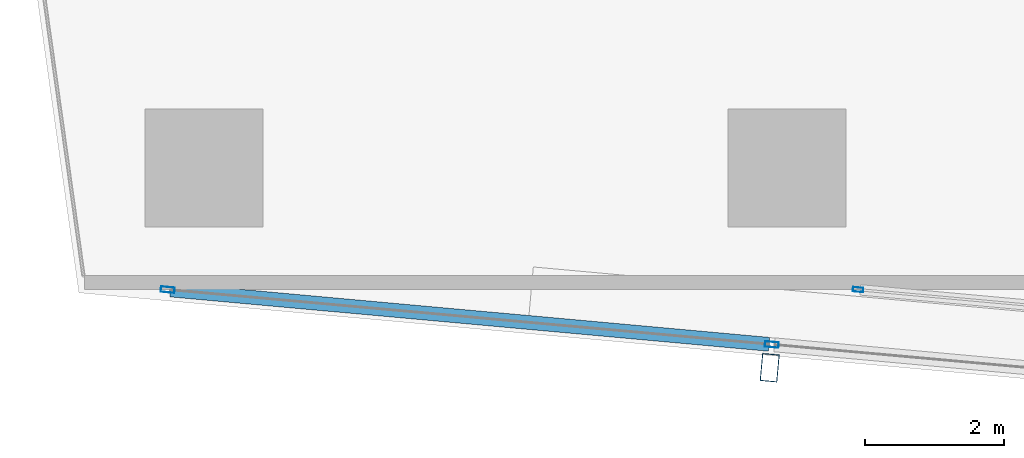
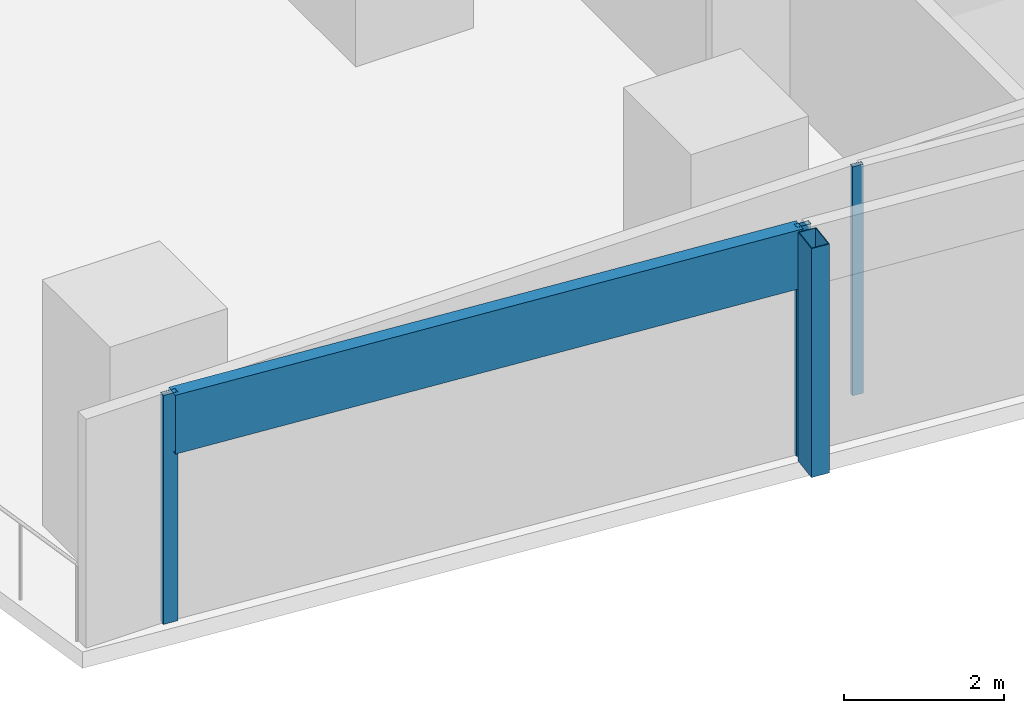
# One storey, part 2 of 38: 5 members, 2 elements without a shape of their own.
"""IFC4 building model written with IfcOpenShell, lengths in metres."""

import ifcopenshell
import ifcopenshell.guid

model = None  # the IFC model being written
_history = None  # IfcOwnerHistory: only IFC2X3 demands one
_inside = {}  # id of a spatial element -> (the spatial element, [elements in it])
_under = {}  # id of a project, library or spatial element -> (it, [spatial elements below it])
_declared = {}  # id of a project -> (the project, [libraries it declares])
_typed = {}  # id of a type object -> (the type object, [elements of that type])
_made_of = {}  # id of a material, layer set ... -> (it, [elements and type objects made of it])


def new_model(schema):
    """Start an empty IFC model of exactly this schema.

    Asked for "IFC4X3", IfcOpenShell would pick the latest addendum, in which some entities
    have other attributes; the version numbers below select the first issue.
    IFC2X3 requires an IfcOwnerHistory on every rooted entity: one is made here for all.
    """
    global model, _history
    if schema == "IFC4X3":
        model = ifcopenshell.file(schema_version=(4, 3, 0, 0))
    else:
        model = ifcopenshell.file(schema=schema)
    _inside.clear()
    _under.clear()
    _declared.clear()
    _typed.clear()
    _made_of.clear()
    _history = None
    if model.schema == "IFC2X3":
        org = make("IfcOrganization", Name="unknown")
        user = make(
            "IfcPersonAndOrganization",
            ThePerson=make("IfcPerson", FamilyName="unknown"),
            TheOrganization=org,
        )
        app = make(
            "IfcApplication",
            ApplicationDeveloper=org,
            Version="unknown",
            ApplicationFullName="unknown",
            ApplicationIdentifier="unknown",
        )
        _history = make(
            "IfcOwnerHistory",
            OwningUser=user,
            OwningApplication=app,
            ChangeAction="ADDED",
            CreationDate=0,
        )
    return model


def make(cls, **values):
    """One entity of the class cls with the attributes given. An attribute that is None is left unset."""
    return model.create_entity(
        cls, **{name: value for name, value in values.items() if value is not None}
    )


def rooted(cls, **values):
    """An entity with a GlobalId (a new one), such as an element, a storey or a relation."""
    return make(cls, GlobalId=ifcopenshell.guid.new(), OwnerHistory=_history, **values)


def si_unit(unit_type, name, prefix=None):
    """IfcSIUnit, for example si_unit("LENGTHUNIT", "METRE", prefix="MILLI")."""
    return make("IfcSIUnit", UnitType=unit_type, Prefix=prefix, Name=name)


def assignment(units):
    """IfcUnitAssignment: the units of a project."""
    return None if units is None else make("IfcUnitAssignment", Units=units)


def point(xyz):
    """IfcCartesianPoint."""
    return None if xyz is None else make("IfcCartesianPoint", Coordinates=xyz)


def direction(xyz):
    """IfcDirection."""
    return None if xyz is None else make("IfcDirection", DirectionRatios=xyz)


def frame(location, z_axis=None, x_axis=None):
    """IfcAxis2Placement3D, a coordinate frame: its origin and axes. An axis left out is left unset."""
    return make(
        "IfcAxis2Placement3D",
        Location=point(location),
        Axis=direction(z_axis),
        RefDirection=direction(x_axis),
    )


def frame_2d(location, x_axis=None):
    """IfcAxis2Placement2D, a coordinate frame in the plane: its origin and x axis."""
    return make(
        "IfcAxis2Placement2D", Location=point(location), RefDirection=direction(x_axis)
    )


def origin():
    """The frame at (0, 0, 0) with its axes left unset."""
    return frame((0.0, 0.0, 0.0))


def origin_2d():
    """The frame at (0, 0) in the plane with its x axis left unset."""
    return frame_2d((0.0, 0.0))


def place(relative_to, where):
    """IfcLocalPlacement: puts the frame where relative to a parent placement (None: the world)."""
    return make(
        "IfcLocalPlacement", PlacementRelTo=relative_to, RelativePlacement=where
    )


def context(
    kind, dimensions, precision=None, world=None, true_north=None, identifier=None
):
    """IfcGeometricRepresentationContext, for example the 3D "Model" context."""
    return make(
        "IfcGeometricRepresentationContext",
        ContextIdentifier=identifier,
        ContextType=kind,
        CoordinateSpaceDimension=dimensions,
        Precision=precision,
        WorldCoordinateSystem=world,
        TrueNorth=true_north,
    )


def subcontext(parent, identifier, kind, view, scale=None):
    """IfcGeometricRepresentationSubContext, for example "Body" below "Model"."""
    return make(
        "IfcGeometricRepresentationSubContext",
        ContextIdentifier=identifier,
        ContextType=kind,
        ParentContext=parent,
        TargetScale=scale,
        TargetView=view,
    )


def project(units=None, contexts=None):
    """IfcProject with its units and contexts."""
    return rooted(
        "IfcProject",
        Name="project",
        RepresentationContexts=contexts,
        UnitsInContext=assignment(units),
    )


def spatial(cls, under=None, at=None, **own):
    """A site, building, storey or space (cls), placed at a placement, below another one or the project."""
    s = rooted(cls, ObjectPlacement=at, **own)
    if under is not None:
        _under.setdefault(under.id(), (under, []))[1].append(s)
    return s


def profile(cls, at=None, kind="AREA", **sizes):
    """A parametric profile (cls). Its sizes go by their IFC names, for example OverallWidth=200.0."""
    return make(cls, ProfileType=kind, Position=at, **sizes)


def hollow_rectangle(**sizes):
    """IfcRectangleHollowProfileDef."""
    return profile("IfcRectangleHollowProfileDef", **sizes)


def extrude(swept, where, along, depth):
    """IfcExtrudedAreaSolid: the profile swept, set in the frame where, extruded along a direction by depth."""
    return make(
        "IfcExtrudedAreaSolid",
        SweptArea=swept,
        Position=where,
        ExtrudedDirection=direction(along),
        Depth=depth,
    )


def shape(context_of_items, identifier, shape_type, items):
    """IfcShapeRepresentation: the items that make up one representation, for example the "Body"."""
    return make(
        "IfcShapeRepresentation",
        ContextOfItems=context_of_items,
        RepresentationIdentifier=identifier,
        RepresentationType=shape_type,
        Items=items,
    )


def material(Name=None, Category=None):
    """IfcMaterial."""
    return make("IfcMaterial", Name=Name, Category=Category)


def material_profile(
    of_material, cross_section, Name=None, Category=None, Priority=None
):
    """IfcMaterialProfile: a cross section and its material."""
    return make(
        "IfcMaterialProfile",
        Name=Name,
        Material=of_material,
        Profile=cross_section,
        Priority=Priority,
        Category=Category,
    )


def profile_set(profiles, Name=None, composite=None):
    """IfcMaterialProfileSet."""
    return make(
        "IfcMaterialProfileSet",
        Name=Name,
        MaterialProfiles=profiles,
        CompositeProfile=composite,
    )


def made_of(thing, what):
    """Note that an element or type object is made of a material, layer set ...; save() writes the relation."""
    if what is not None:
        _made_of.setdefault(what.id(), (what, []))[1].append(thing)
    return thing


def type_object(cls, material=None, **own):
    """A type object (cls), such as IfcWallType, which elements share."""
    return made_of(rooted(cls, **own), material)


def element(
    cls,
    number,
    at=None,
    inside=None,
    cuts=None,
    type_object=None,
    material=None,
    context=None,
    identifier="Body",
    shape_type=None,
    held_by="IfcProductDefinitionShape",
    body=None,
    shapes=None,
    **own,
):
    """One element of the class cls, such as IfcWall. Its Tag is "e" and its number.

    at: its placement. inside: the storey or other place that contains it. cuts: it is an
    opening in that element (IfcRelVoidsElement). A single representation is given by context,
    identifier, shape_type and body (its items); several are given by shapes. held_by: the class
    of the entity that holds the representations. save() writes the other relations.
    """
    e = rooted(cls, Tag="e%d" % number, ObjectPlacement=at, **own)
    if body is not None:
        shapes = [shape(context, identifier, shape_type, body)]
    if shapes is not None:
        e.Representation = make(held_by, Representations=shapes)
    if inside is not None:
        _inside.setdefault(inside.id(), (inside, []))[1].append(e)
    if cuts is not None:
        rooted(
            "IfcRelVoidsElement", RelatingBuildingElement=cuts, RelatedOpeningElement=e
        )
    if type_object is not None:
        _typed.setdefault(type_object.id(), (type_object, []))[1].append(e)
    return made_of(e, material)


def aggregate(whole, parts):
    """IfcRelAggregates: a whole, such as a stair, and the parts it consists of."""
    return rooted("IfcRelAggregates", RelatingObject=whole, RelatedObjects=parts)


def save(model, path):
    """Write the relations noted so far, then the file.

    IfcRelAggregates (storeys below a building ...), IfcRelContainedInSpatialStructure (elements
    in a storey), IfcRelDefinesByType, IfcRelAssociatesMaterial and IfcRelDeclares: one each for
    every whole, place, type object, material and project.
    """
    for whole, parts in _under.values():
        aggregate(whole, parts)
    for where, things in _inside.values():
        rooted(
            "IfcRelContainedInSpatialStructure",
            RelatedElements=things,
            RelatingStructure=where,
        )
    for kind, things in _typed.values():
        rooted("IfcRelDefinesByType", RelatedObjects=things, RelatingType=kind)
    for what, things in _made_of.values():
        rooted("IfcRelAssociatesMaterial", RelatedObjects=things, RelatingMaterial=what)
    for by, libraries in _declared.values():
        rooted("IfcRelDeclares", RelatingContext=by, RelatedDefinitions=libraries)
    model.write(path)


model = new_model("IFC4")

# Units and contexts
model_context = context("Model", 3, precision=1e-05, world=origin(), true_north=direction((0.0, 1.0)))
body_context = subcontext(model_context, "Body", "Model", "MODEL_VIEW")
ifc_project = project(units=[si_unit("LENGTHUNIT", "METRE"), si_unit("AREAUNIT", "SQUARE_METRE"), si_unit("VOLUMEUNIT", "CUBIC_METRE"), si_unit("PLANEANGLEUNIT", "RADIAN"), si_unit("MASSUNIT", "GRAM", prefix="KILO")], contexts=[model_context])

# Site, building, storey
site_placement = place(None, origin())
site = spatial("IfcSite", under=ifc_project, at=site_placement, CompositionType="ELEMENT")
building_placement = place(site_placement, origin())
building = spatial("IfcBuilding", under=site, at=building_placement, Name="Rekha Terrace Tower", CompositionType="ELEMENT")
storey_placement = place(building_placement, frame((0.0, 0.0, 114.050048828125)))
storey = spatial("IfcBuildingStorey", under=building, at=storey_placement, Name="L28", CompositionType="ELEMENT", Elevation=114.050048828125)

# Curtain wall, member
ifc_material_1 = material(Name="Aluminium framing", Category="aluminium")
curtain_wall_type_1 = type_object("IfcCurtainWallType", Name="CW2 double skin outer glazing", PredefinedType="USERDEFINED", material=ifc_material_1)
curtain_wall_1_placement = place(storey_placement, origin())
curtain_wall_1 = element("IfcCurtainWall", 1, at=curtain_wall_1_placement, inside=storey, type_object=curtain_wall_type_1, Name="CW2 double skin outer glazing", ObjectType="DOUBLE SKIN OUTER GLAZING", PredefinedType="USERDEFINED")
ifc_material_2 = material(Name="Steel S355 with fluorocarbon finish", Category="steel")
ifc_material_profile_1 = material_profile(ifc_material_2, hollow_rectangle(XDim=0.25, YDim=0.39990234375, WallThickness=0.012451171875, at=origin_2d()), Name="RHS400x250x12.5")
ifc_profile_set_1 = profile_set([ifc_material_profile_1], Name="Steel S355 with fluorocarbon finish")
member_type_1 = type_object("IfcMemberType", Name="BL1 facade blade RHS 400 x 250", PredefinedType="USERDEFINED", material=ifc_profile_set_1)
member_1_placement = place(storey_placement, frame((16.552001953125, 13.92041015625, 0.0), z_axis=(0.0, 0.0, 1.0), x_axis=(0.995901938317, -0.090439644273, 0.0)))
member_1 = element("IfcMember", 2, at=member_1_placement, type_object=member_type_1, Name="Facade blade", ObjectType="FACADE BLADE", PredefinedType="USERDEFINED", context=body_context, shape_type="SweptSolid", body=[
    extrude(hollow_rectangle(XDim=0.25, YDim=0.39990234375, WallThickness=0.012451171875, at=origin_2d()), origin(), (0.0, 0.0, 1.0), 3.5),
])

curtain_wall_type_2 = type_object("IfcCurtainWallType", Name="CW1 double skin inner glazing", PredefinedType="USERDEFINED", material=ifc_material_1)
curtain_wall_2_placement = place(storey_placement, origin())
curtain_wall_2 = element("IfcCurtainWall", 3, at=curtain_wall_2_placement, inside=storey, type_object=curtain_wall_type_2, Name="CW1 double skin inner glazing", ObjectType="DOUBLE SKIN INNER GLAZING", PredefinedType="USERDEFINED")
ifc_material_3 = material(Name="Aluminium mullion section", Category="aluminium")
ifc_material_profile_2 = material_profile(ifc_material_3, hollow_rectangle(XDim=0.06494140625, YDim=0.14990234375, WallThickness=0.00390625, at=origin_2d()), Name="AL RHS 65x150")
ifc_profile_set_2 = profile_set([ifc_material_profile_2], Name="Aluminium mullion section")
member_type_2 = type_object("IfcMemberType", Name="CW1 mullion RHS 65 x 150", PredefinedType="MULLION", material=ifc_profile_set_2)
member_2_placement = place(storey_placement, frame((17.82421875, 15.045166015625, 0.0), z_axis=(0.0, 0.0, 1.0), x_axis=(0.090439811364, 0.995901923143, 0.0)))
member_2 = element("IfcMember", 4, at=member_2_placement, type_object=member_type_2, Name="CW1 mullion 1", PredefinedType="MULLION", context=body_context, shape_type="SweptSolid", body=[
    extrude(hollow_rectangle(XDim=0.06494140625, YDim=0.14990234375, WallThickness=0.00390625, at=origin_2d()), origin(), (0.0, 0.0, 1.0), 3.5),
])
aggregate(curtain_wall_2, [member_2])

# Member
ifc_material_profile_3 = material_profile(ifc_material_3, hollow_rectangle(XDim=0.080078125, YDim=0.199951171875, WallThickness=0.00390625, at=origin_2d()), Name="AL RHS 80x200")
ifc_profile_set_3 = profile_set([ifc_material_profile_3], Name="Aluminium mullion section")
member_type_3 = type_object("IfcMemberType", Name="CW2 mullion RHS 80 x 200", PredefinedType="MULLION", material=ifc_profile_set_3)
member_3_placement = place(storey_placement, frame((7.88037109375, 15.04443359375, 0.0), z_axis=(0.0, 0.0, 1.0), x_axis=(0.090439811416, 0.995901923139, 0.0)))
member_3 = element("IfcMember", 5, at=member_3_placement, type_object=member_type_3, Name="CW2 mullion 1", PredefinedType="MULLION", context=body_context, shape_type="SweptSolid", body=[
    extrude(hollow_rectangle(XDim=0.080078125, YDim=0.199951171875, WallThickness=0.00390625, at=origin_2d()), origin(), (0.0, 0.0, 1.0), 3.5),
])

member_4_placement = place(storey_placement, frame((16.582275390625, 14.254150390625, 0.0), z_axis=(0.0, 0.0, 1.0), x_axis=(0.090439811416, 0.995901923139, 0.0)))
member_4 = element("IfcMember", 6, at=member_4_placement, type_object=member_type_3, Name="CW2 mullion 2", PredefinedType="MULLION", context=body_context, shape_type="SweptSolid", body=[
    extrude(hollow_rectangle(XDim=0.080078125, YDim=0.199951171875, WallThickness=0.00390625, at=origin_2d()), origin(), (0.0, 0.0, 1.0), 3.5),
])

ifc_material_4 = material(Name="Insulated aluminium spandrel box", Category="aluminium")
ifc_material_profile_4 = material_profile(ifc_material_4, hollow_rectangle(XDim=0.199951171875, YDim=0.89990234375, WallThickness=0.0029296875, at=origin_2d()), Name="AL SPANDREL BOX 200x900")
ifc_profile_set_4 = profile_set([ifc_material_profile_4], Name="Insulated aluminium spandrel box")
member_type_4 = type_object("IfcMemberType", Name="CW2 spandrel transom 200 x 900", PredefinedType="USERDEFINED", material=ifc_profile_set_4)
member_5_placement = place(storey_placement, frame((7.920166015625, 15.040771484375, 3.050048828125), z_axis=(0.995902446833, -0.090434044426, 0.0), x_axis=(0.090434044426, 0.995902446833, 0.0)))
member_5 = element("IfcMember", 7, at=member_5_placement, type_object=member_type_4, Name="CW2 spandrel transom 1", ObjectType="TRANSOM", PredefinedType="USERDEFINED", context=body_context, shape_type="SweptSolid", body=[
    extrude(hollow_rectangle(XDim=0.199951171875, YDim=0.89990234375, WallThickness=0.0029296875, at=origin_2d()), origin(), (0.0, 0.0, 1.0), 8.65771484375),
])

aggregate(curtain_wall_1, [member_3, member_4, member_5, member_1])

save(model, "model.ifc")
